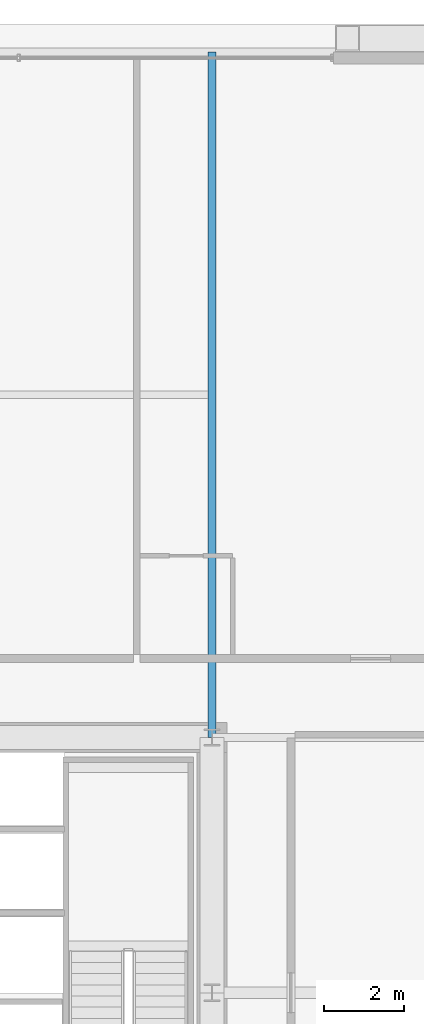
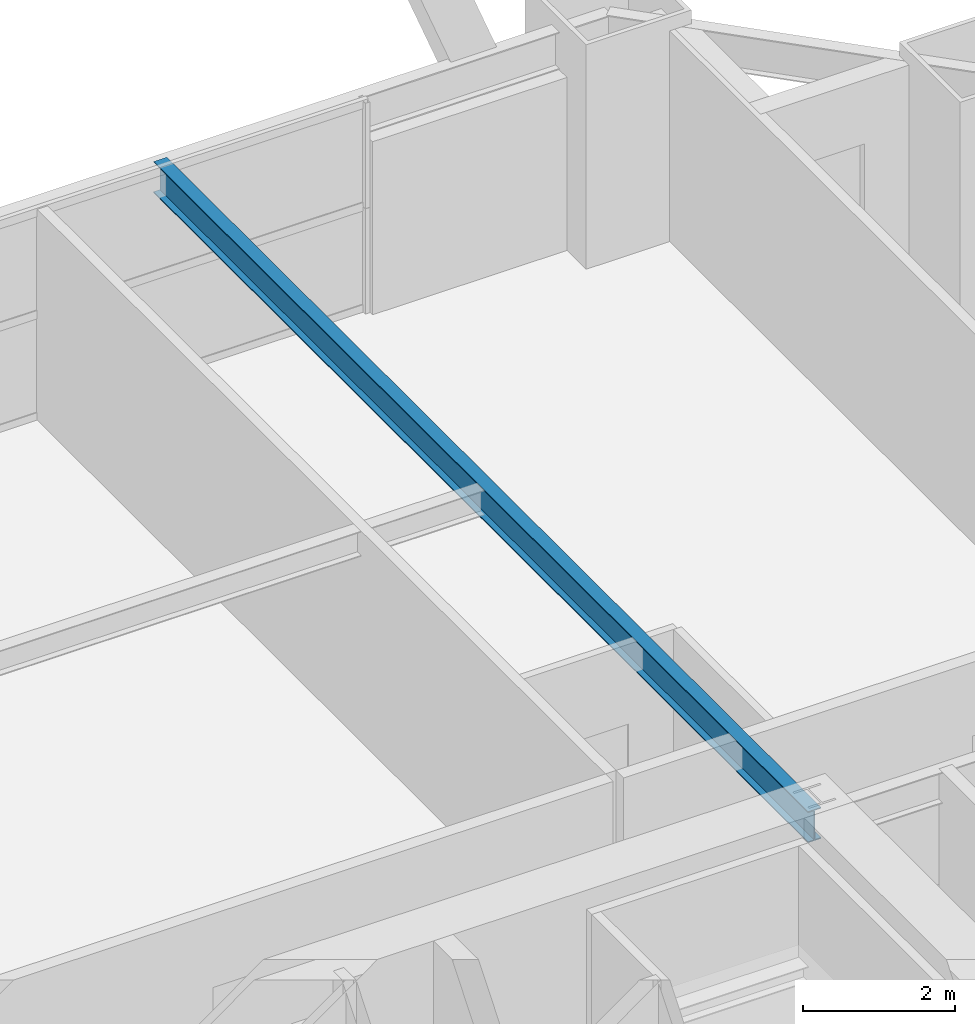
# One storey, part 31 of 43: 1 beam.
"""IFC4 building model written with IfcOpenShell, lengths in metres."""

from ifc_helpers import new_model, si_unit, direction, frame, origin, origin_2d, place, context, subcontext, project, spatial, i_section, extrude, source, transform, mapped, material, material_profile, profile_set, type_object, element, save


model = new_model("IFC4")

# Units and contexts
model_context = context("Model", 3, precision=1e-05, world=origin(), true_north=direction((0.0, 1.0)))
body_context = subcontext(model_context, "Body", "Model", "MODEL_VIEW")
ifc_project = project(units=[si_unit("LENGTHUNIT", "METRE"), si_unit("AREAUNIT", "SQUARE_METRE"), si_unit("VOLUMEUNIT", "CUBIC_METRE"), si_unit("PLANEANGLEUNIT", "RADIAN"), si_unit("MASSUNIT", "GRAM", prefix="KILO"), si_unit("THERMODYNAMICTEMPERATUREUNIT", "KELVIN"), si_unit("POWERUNIT", "WATT")], contexts=[model_context])

# Site, building, storey
site_placement = place(None, origin())
site = spatial("IfcSite", under=ifc_project, at=site_placement, CompositionType="ELEMENT")
building_placement = place(site_placement, origin())
building = spatial("IfcBuilding", under=site, at=building_placement, Name="Yuzanri Waterfront Tower", CompositionType="ELEMENT")
storey_placement = place(building_placement, frame((0.0, 0.0, 101.0)))
storey = spatial("IfcBuildingStorey", under=building, at=storey_placement, Name="L26", CompositionType="ELEMENT", Elevation=101.0)

# Beam
ifc_material = material(Name="Steel Q355B", Category="steel")
ifc_material_profile = material_profile(ifc_material, i_section(OverallWidth=0.199951171875, OverallDepth=0.5, WebThickness=0.010009765625, FlangeThickness=0.01611328125, at=origin_2d()), Name="HN 500x200x10x16")
ifc_profile_set = profile_set([ifc_material_profile], Name="Steel Q355B")
beam_type = type_object("IfcBeamType", Name="Secondary Floor Beam Q355B HN 500x200", PredefinedType="BEAM", material=ifc_profile_set)
shared_shape = source(origin(), body_context, "Body", "SweptSolid", [
    extrude(i_section(OverallWidth=0.199951171875, OverallDepth=0.5, WebThickness=0.010009765625, FlangeThickness=0.01611328125, at=origin_2d()), origin(), (0.0, 0.0, 1.0), 17.199951171875),
])
beam_placement = place(storey_placement, frame((50.199951171875, 32.199951171875, 3.1298828125), z_axis=(0.0, 1.0, 0.0), x_axis=(-1.0, 0.0, 0.0)))
element("IfcBeam", 1, at=beam_placement, inside=storey, type_object=beam_type, Name="L26 North-East Core Line Beam", PredefinedType="BEAM", context=body_context, shape_type="MappedRepresentation", body=[
    mapped(shared_shape, transform((0.0, 0.0, 0.0), scale=1.0)),
])

save(model, "model.ifc")
